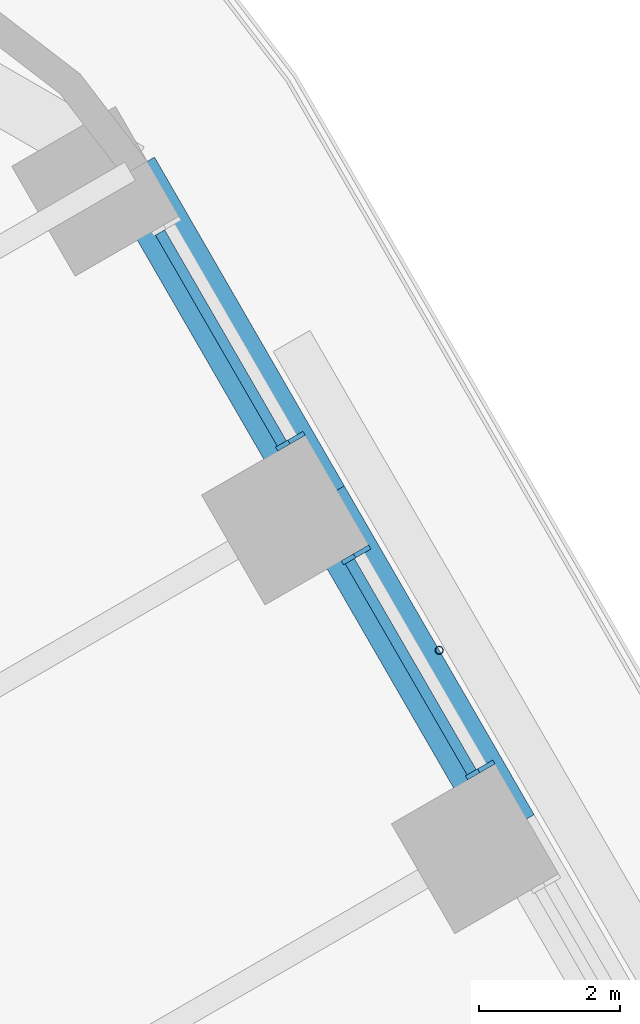
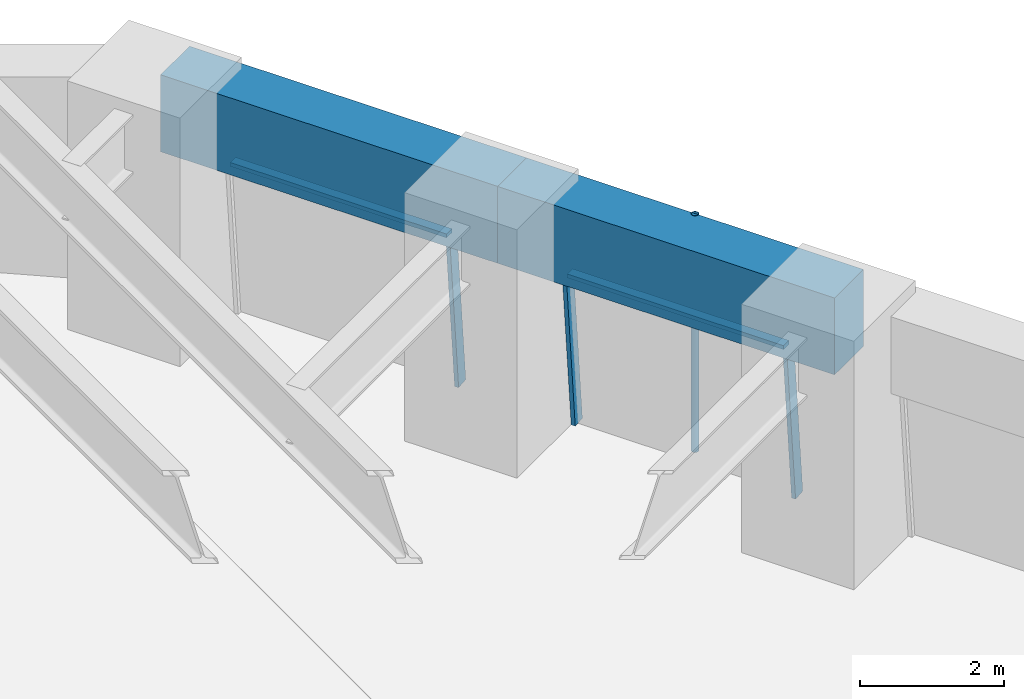
# One storey, part 11 of 23: 6 members, 2 beams, 2 elements without a shape of their own.
"""IFC4 building model written with IfcOpenShell, lengths in metres."""

from ifc_helpers import new_model, si_unit, direction, frame, origin, origin_2d, place, context, subcontext, project, spatial, rectangle, hollow_circle, extrude, material, material_profile, profile_set, type_object, element, aggregate, save


model = new_model("IFC4")

# Units and contexts
model_context = context("Model", 3, precision=1e-05, world=origin(), true_north=direction((0.0, 1.0)))
body_context = subcontext(model_context, "Body", "Model", "MODEL_VIEW")
ifc_project = project(units=[si_unit("LENGTHUNIT", "METRE"), si_unit("AREAUNIT", "SQUARE_METRE"), si_unit("VOLUMEUNIT", "CUBIC_METRE"), si_unit("PLANEANGLEUNIT", "RADIAN"), si_unit("MASSUNIT", "GRAM", prefix="KILO")], contexts=[model_context])

# Site, building, storey
site_placement = place(None, origin())
site = spatial("IfcSite", under=ifc_project, at=site_placement, CompositionType="ELEMENT")
building_placement = place(site_placement, origin())
building = spatial("IfcBuilding", under=site, at=building_placement, Name="Tarfa Lantern Tower", CompositionType="ELEMENT")
storey_placement = place(building_placement, frame((0.0, 0.0, 86.5)))
storey = spatial("IfcBuildingStorey", under=building, at=storey_placement, Name="L19", CompositionType="ELEMENT", Elevation=86.5)

# Curtain wall, members
ifc_material_1 = material(Name="Aluminium framed curtain wall", Category="aluminium")
curtain_wall_type = type_object("IfcCurtainWallType", Name="CW1 CANTED GLAZING LOW ZONE 2700", PredefinedType="USERDEFINED", material=ifc_material_1)
curtain_wall_1_placement = place(storey_placement, origin())
curtain_wall_1 = element("IfcCurtainWall", 1, at=curtain_wall_1_placement, inside=storey, type_object=curtain_wall_type, Name="CW1 NE L19", ObjectType="CURTAIN WALL", PredefinedType="USERDEFINED")
ifc_material_2 = material(Name="Aluminium mullion", Category="aluminium")
ifc_material_profile_1 = material_profile(ifc_material_2, rectangle(XDim=0.06494140625, YDim=0.199951171875, at=origin_2d()), Name="AL MULLION 65x200")
ifc_profile_set_1 = profile_set([ifc_material_profile_1], Name="Aluminium mullion")
member_type_1 = type_object("IfcMemberType", Name="CWM1 MULLION 65x200", PredefinedType="MULLION", material=ifc_profile_set_1)
member_1_placement = place(storey_placement, frame((26.19775390625, 22.42431640625, 0.0), z_axis=(-0.07986442134, -0.046099868913, 0.99573916077), x_axis=(0.499919672301, -0.866071776036, 0.0)))
member_1 = element("IfcMember", 2, at=member_1_placement, type_object=member_type_1, Name="CW1 mullion 1", PredefinedType="MULLION", context=body_context, shape_type="SweptSolid", body=[
    extrude(rectangle(XDim=0.06494140625, YDim=0.199951171875, at=origin_2d()), origin(), (0.0, 0.0, 1.0), 2.71142578125),
])
member_2_placement = place(storey_placement, frame((24.435791015625, 25.475830078125, 0.0), z_axis=(-0.079774955866, -0.04610020023, 0.995746317068), x_axis=(0.500342721131, -0.865827443207, 0.0)))
member_2 = element("IfcMember", 3, at=member_2_placement, type_object=member_type_1, Name="CW1 mullion 2", PredefinedType="MULLION", context=body_context, shape_type="SweptSolid", body=[
    extrude(rectangle(XDim=0.06494140625, YDim=0.199951171875, at=origin_2d()), origin(), (0.0, 0.0, 1.0), 2.71142578125),
])

# Curtain wall, member
curtain_wall_2_placement = place(storey_placement, origin())
curtain_wall_2 = element("IfcCurtainWall", 4, at=curtain_wall_2_placement, inside=storey, type_object=curtain_wall_type, Name="CW1 NE L19", ObjectType="CURTAIN WALL", PredefinedType="USERDEFINED")
member_3_placement = place(storey_placement, frame((23.50341796875, 27.0908203125, 0.0), z_axis=(-0.07986442134, -0.046099868913, 0.99573916077), x_axis=(0.499919672301, -0.866071776036, 0.0)))
member_3 = element("IfcMember", 5, at=member_3_placement, type_object=member_type_1, Name="CW1 mullion 1", PredefinedType="MULLION", context=body_context, shape_type="SweptSolid", body=[
    extrude(rectangle(XDim=0.06494140625, YDim=0.199951171875, at=origin_2d()), origin(), (0.0, 0.0, 1.0), 2.71142578125),
])

# Member
ifc_material_3 = material(Name="Aluminium transom", Category="aluminium")
ifc_material_profile_2 = material_profile(ifc_material_3, rectangle(XDim=0.14990234375, YDim=0.06494140625, at=origin_2d()), Name="AL TRANSOM 150x65")
ifc_profile_set_2 = profile_set([ifc_material_profile_2], Name="Aluminium transom")
member_type_2 = type_object("IfcMemberType", Name="CWT1 TRANSOM 150x65", PredefinedType="USERDEFINED", material=ifc_profile_set_2)
member_4_placement = place(storey_placement, frame((25.967529296875, 22.328857421875, 2.66748046875), z_axis=(-0.49997297598, 0.866041005548, 0.0), x_axis=(-0.866041005548, -0.49997297598, 0.0)))
member_4 = element("IfcMember", 6, at=member_4_placement, type_object=member_type_2, Name="CW1 transom 1.2", ObjectType="TRANSOM", PredefinedType="USERDEFINED", context=body_context, shape_type="SweptSolid", body=[
    extrude(rectangle(XDim=0.14990234375, YDim=0.06494140625, at=origin_2d()), origin(), (0.0, 0.0, 1.0), 3.458740234375),
])

aggregate(curtain_wall_1, [member_1, member_2, member_4])

member_5_placement = place(storey_placement, frame((23.273193359375, 26.99560546875, 2.66748046875), z_axis=(-0.500003541824, 0.866023358902, 0.0), x_axis=(-0.866023358902, -0.500003541824, 0.0)))
member_5 = element("IfcMember", 7, at=member_5_placement, type_object=member_type_2, Name="CW1 transom 1.2", ObjectType="TRANSOM", PredefinedType="USERDEFINED", context=body_context, shape_type="SweptSolid", body=[
    extrude(rectangle(XDim=0.14990234375, YDim=0.06494140625, at=origin_2d()), origin(), (0.0, 0.0, 1.0), 3.45849609375),
])

aggregate(curtain_wall_2, [member_3, member_5])

# Beams
ifc_material_4 = material(Name="Concrete C80/95", Category="concrete")
ifc_material_profile_3 = material_profile(ifc_material_4, rectangle(XDim=0.800048828125, YDim=1.300048828125, at=origin_2d()), Name="RC 800x1300")
ifc_profile_set_3 = profile_set([ifc_material_profile_3], Name="Concrete C80/95")
beam_type = type_object("IfcBeamType", Name="EB1 RC 800x1300", PredefinedType="SPANDREL", material=ifc_profile_set_3)
for number, where, z_axis, x_axis, name in (
    (8, (26.508056640625, 21.526611328125, 3.35009765625), (-0.499998287579, 0.866026392449, 0.0), (-0.866026392449, -0.499998287579, 0.0), "Edge beam NE4"),
    (9, (23.813720703125, 26.193359375, 3.35009765625), (-0.499998287579, 0.866026392449, 0.0), (-0.866026392449, -0.499998287579, 0.0), "Edge beam NE5"),
):
    element("IfcBeam", number, at=place(storey_placement, frame(where, z_axis=z_axis, x_axis=x_axis)), inside=storey, type_object=beam_type, Name=name, PredefinedType="SPANDREL", context=body_context, shape_type="SweptSolid", body=[
        extrude(rectangle(XDim=0.800048828125, YDim=1.300048828125, at=origin_2d()), origin(), (0.0, 0.0, 1.0), 5.388671875),
    ])

# Member
ifc_material_5 = material(Name="Steel S355", Category="steel")
ifc_material_profile_4 = material_profile(ifc_material_5, hollow_circle(Radius=0.05712890625, WallThickness=0.00634765625, at=origin_2d()), Name="CHS114.3x6.3")
ifc_profile_set_4 = profile_set([ifc_material_profile_4], Name="Steel S355")
member_type_3 = type_object("IfcMemberType", Name="TR1 GREEN WALL TRELLIS CHS114.3x6.3", PredefinedType="USERDEFINED", material=ifc_profile_set_4)
member_6_placement = place(storey_placement, frame((25.50732421875, 24.06005859375, 0.0), z_axis=(0.0, 0.0, 1.0), x_axis=(1.0, 0.0, 0.0)))
element("IfcMember", 10, at=member_6_placement, inside=storey, type_object=member_type_3, Name="Trellis post NE 2", ObjectType="TRELLIS", PredefinedType="USERDEFINED", context=body_context, shape_type="SweptSolid", body=[
    extrude(hollow_circle(Radius=0.05712890625, WallThickness=0.00634765625, at=origin_2d()), origin(), (0.0, 0.0, 1.0), 4.0),
])

save(model, "model.ifc")
